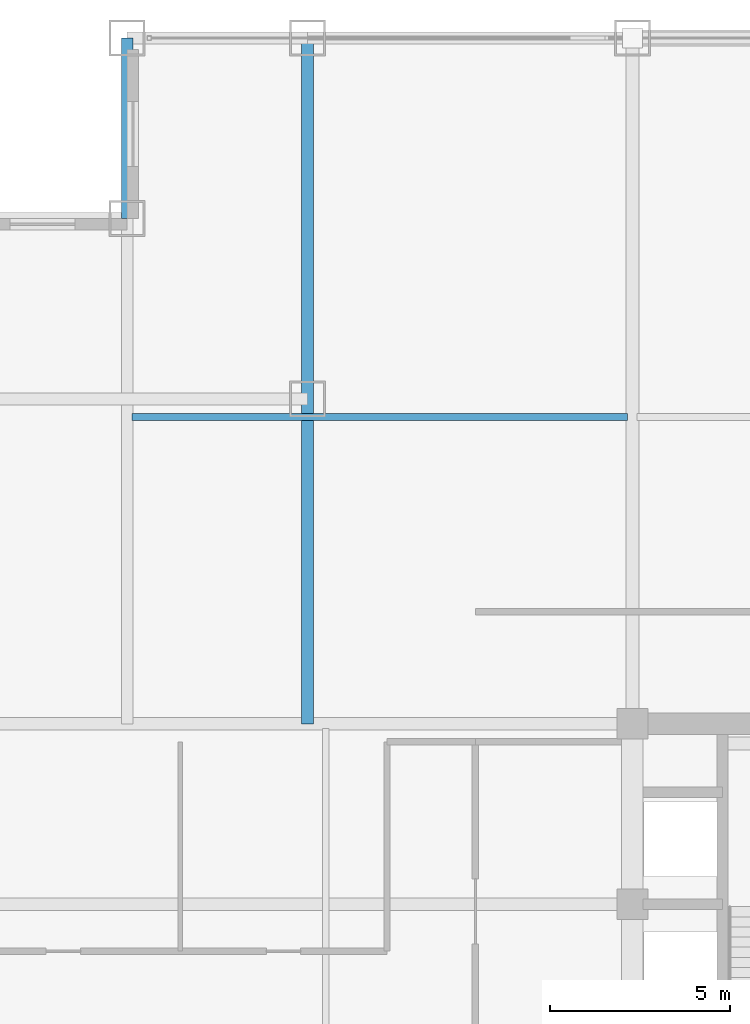
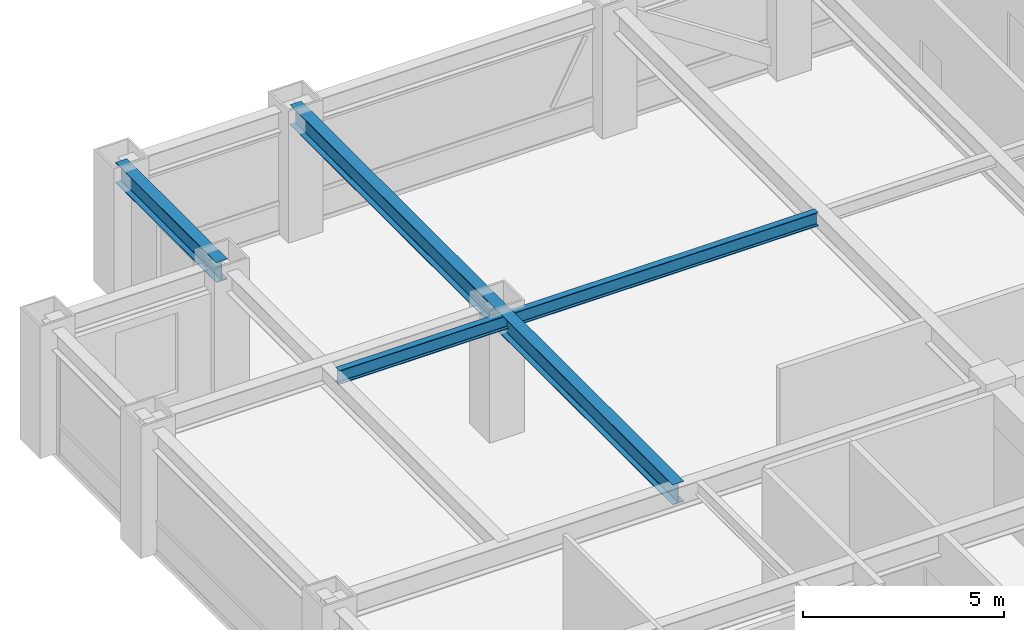
# One storey, part 13 of 25: 3 beams.
"""IFC4 building model written with IfcOpenShell, lengths in metres."""

from ifc_helpers import new_model, si_unit, direction, frame, origin, origin_2d, place, context, subcontext, project, spatial, i_section, extrude, source, transform, mapped, material, material_profile, profile_set, type_object, element, save


model = new_model("IFC4")

# Units and contexts
model_context = context("Model", 3, precision=1e-05, world=origin(), true_north=direction((0.0, 1.0)))
body_context = subcontext(model_context, "Body", "Model", "MODEL_VIEW")
ifc_project = project(units=[si_unit("LENGTHUNIT", "METRE"), si_unit("AREAUNIT", "SQUARE_METRE"), si_unit("VOLUMEUNIT", "CUBIC_METRE"), si_unit("PLANEANGLEUNIT", "RADIAN"), si_unit("MASSUNIT", "GRAM", prefix="KILO")], contexts=[model_context])

# Site, building, storey
site_placement = place(None, origin())
site = spatial("IfcSite", under=ifc_project, at=site_placement, CompositionType="ELEMENT")
building_placement = place(site_placement, origin())
building = spatial("IfcBuilding", under=site, at=building_placement, Name="Khorayat Bourse Tower", CompositionType="ELEMENT")
storey_placement = place(building_placement, frame((0.0, 0.0, 251.10009765625)))
storey = spatial("IfcBuildingStorey", under=building, at=storey_placement, Name="L59", CompositionType="ELEMENT", Elevation=251.10009765625)

# Beams
ifc_material = material(Name="Steel ASTM A992 Grade 50", Category="steel")
ifc_material_profile_1 = material_profile(ifc_material, i_section(OverallWidth=0.324951171875, OverallDepth=0.615966796875, WebThickness=0.013916015625, FlangeThickness=0.021484375, FilletRadius=0.01611328125, at=origin_2d()), Name="W610X174")
ifc_profile_set_1 = profile_set([ifc_material_profile_1], Name="Steel ASTM A992 Grade 50")
beam_type_1 = type_object("IfcBeamType", Name="BM-GIRD-610", PredefinedType="BEAM", material=ifc_profile_set_1)
shared_shape_1 = source(origin(), body_context, "Body", "SweptSolid", [
    extrude(i_section(OverallWidth=0.324951171875, OverallDepth=0.615966796875, WebThickness=0.013916015625, FlangeThickness=0.021484375, FilletRadius=0.01611328125, at=origin_2d()), origin(), (0.0, 0.0, 1.0), 19.0),
])
beam_1_placement = place(storey_placement, frame((-20.0, 11.0, 3.471923828125), z_axis=(0.0, 1.0, 0.0), x_axis=(-1.0, 0.0, 0.0)))
element("IfcBeam", 1, at=beam_1_placement, inside=storey, type_object=beam_type_1, Name="L59 BM-GIRD-610 BM-L59-CNRY-085", PredefinedType="BEAM", context=body_context, shape_type="MappedRepresentation", body=[
    mapped(shared_shape_1, transform((0.0, 0.0, 0.0), scale=1.0)),
])
ifc_material_profile_2 = material_profile(ifc_material, i_section(OverallWidth=0.324951171875, OverallDepth=0.615966796875, WebThickness=0.013916015625, FlangeThickness=0.021484375, FilletRadius=0.01611328125, at=origin_2d()), Name="W610X174")
ifc_profile_set_2 = profile_set([ifc_material_profile_2], Name="Steel ASTM A992 Grade 50")
beam_type_2 = type_object("IfcBeamType", Name="BM-SPAN-610", PredefinedType="SPANDREL", material=ifc_profile_set_2)
shared_shape_2 = source(origin(), body_context, "Body", "SweptSolid", [
    extrude(i_section(OverallWidth=0.324951171875, OverallDepth=0.615966796875, WebThickness=0.013916015625, FlangeThickness=0.021484375, FilletRadius=0.01611328125, at=origin_2d()), origin(), (0.0, 0.0, 1.0), 5.0),
])
beam_2_placement = place(storey_placement, frame((-25.0, 25.0, 3.471923828125), z_axis=(0.0, 1.0, 0.0), x_axis=(-1.0, 0.0, 0.0)))
element("IfcBeam", 2, at=beam_2_placement, inside=storey, type_object=beam_type_2, Name="L59 BM-SPAN-610 BM-L59-SPN-052", PredefinedType="SPANDREL", context=body_context, shape_type="MappedRepresentation", body=[
    mapped(shared_shape_2, transform((0.0, 0.0, 0.0), scale=1.0)),
])
ifc_material_profile_3 = material_profile(ifc_material, i_section(OverallWidth=0.180908203125, OverallDepth=0.4169921875, WebThickness=0.010986328125, FlangeThickness=0.018310546875, FilletRadius=0.011962890625, at=origin_2d()), Name="W410X85")
ifc_profile_set_3 = profile_set([ifc_material_profile_3], Name="Steel ASTM A992 Grade 50")
beam_type_3 = type_object("IfcBeamType", Name="BM-JOIST-410", PredefinedType="JOIST", material=ifc_profile_set_3)
shared_shape_3 = source(origin(), body_context, "Body", "SweptSolid", [
    extrude(i_section(OverallWidth=0.180908203125, OverallDepth=0.4169921875, WebThickness=0.010986328125, FlangeThickness=0.018310546875, FilletRadius=0.011962890625, at=origin_2d()), origin(), (0.0, 0.0, 1.0), 13.740234375),
])
beam_3_placement = place(storey_placement, frame((-24.8701171875, 19.5, 3.5712890625), z_axis=(1.0, 0.0, 0.0), x_axis=(0.0, 1.0, 0.0)))
element("IfcBeam", 3, at=beam_3_placement, inside=storey, type_object=beam_type_3, Name="L59 BM-JOIST-410 BM-L59-JSTX-099", PredefinedType="JOIST", context=body_context, shape_type="MappedRepresentation", body=[
    mapped(shared_shape_3, transform((0.0, 0.0, 0.0), scale=1.0)),
])

save(model, "model.ifc")
